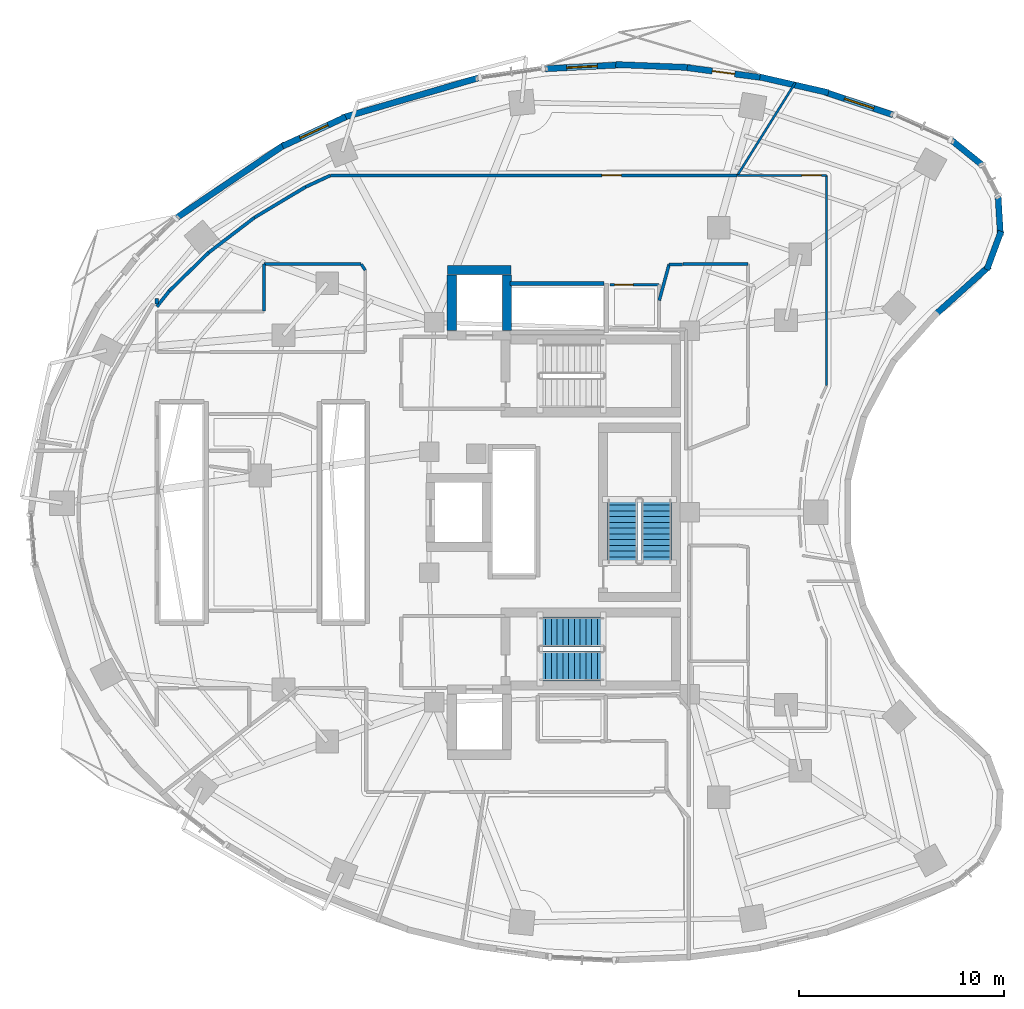
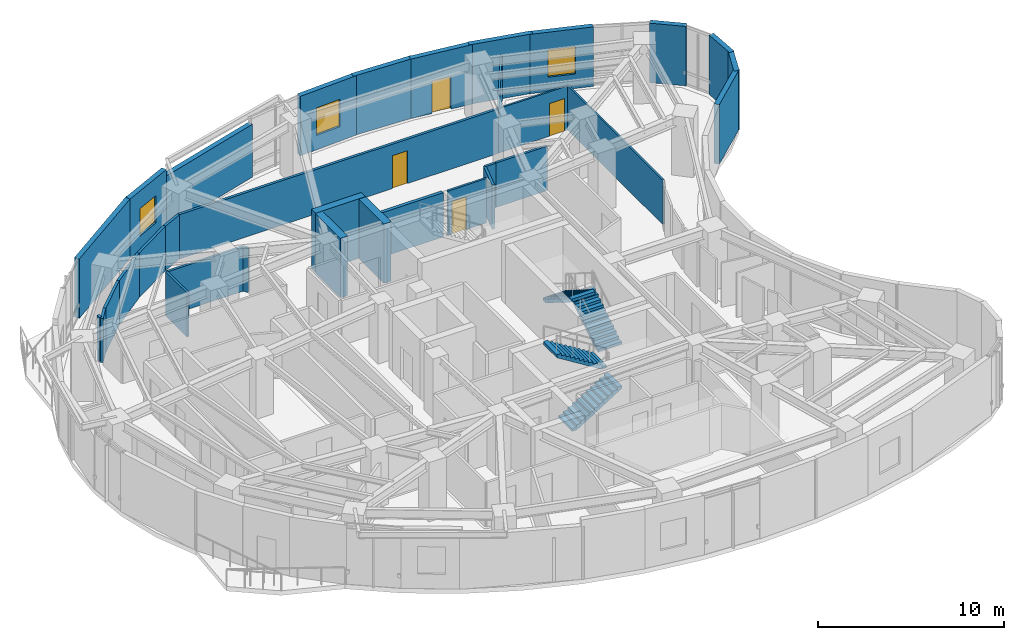
# One storey, part 11 of 15: 33 walls, 4 doors, 4 stair flights, 3 windows, 7 openings, 2 elements without a shape of their own.
"""IFC4 building model written with IfcOpenShell, lengths in metres."""

from ifc_helpers import new_model, si_unit, direction, frame, frame_2d, origin, place, context, subcontext, project, spatial, polyline, rectangle, outline, extrude, material, layer, layer_set, type_object, element, fill, aggregate, save


model = new_model("IFC4")

# Units and contexts
model_context = context("Model", 3, precision=1e-05, world=origin(), true_north=direction((0.0, 1.0)))
body_context = subcontext(model_context, "Body", "Model", "MODEL_VIEW")
ifc_project = project(units=[si_unit("LENGTHUNIT", "METRE"), si_unit("AREAUNIT", "SQUARE_METRE"), si_unit("VOLUMEUNIT", "CUBIC_METRE"), si_unit("PLANEANGLEUNIT", "RADIAN"), si_unit("MASSUNIT", "GRAM", prefix="KILO")], contexts=[model_context])

# Site, building, storey
site_placement = place(None, origin())
site = spatial("IfcSite", under=ifc_project, at=site_placement, CompositionType="ELEMENT")
building_placement = place(site_placement, origin())
building = spatial("IfcBuilding", under=site, at=building_placement, Name="Korentha Bioscience Tower", CompositionType="ELEMENT")
storey_placement = place(building_placement, frame((0.0, 0.0, 115.199951171875)))
storey = spatial("IfcBuildingStorey", under=building, at=storey_placement, Name="L26", CompositionType="ELEMENT", Elevation=115.199951171875)

# Walls
ifc_material_1 = material(Name="Double-Stud Acoustic Gypsum", Category="gypsum")
ifc_layer_1 = layer(ifc_material_1, 0.14990234375, Name="Double-Stud Acoustic Gypsum")
ifc_layer_set_1 = layer_set([ifc_layer_1], Name="Double-Stud Acoustic Gypsum (IW-L150)")
wall_type_1 = type_object("IfcWallType", Name="Acoustic Laboratory Partition Wall 150", PredefinedType="PARTITIONING", material=ifc_layer_set_1)
wall_1_placement = place(storey_placement, frame((36.539794921875, 39.080078125, 0.0), z_axis=(0.0, 0.0, 1.0), x_axis=(1.0, 0.0, 0.0)))
element("IfcWall", 1, at=wall_1_placement, inside=storey, type_object=wall_type_1, Name="L26 Interior Partition 071", PredefinedType="PARTITIONING", context=body_context, shape_type="SweptSolid", body=[
    extrude(rectangle(XDim=0.66015625, YDim=0.14990234375, at=frame_2d((0.330078125, 0.0))), origin(), (0.0, 0.0, 1.0), 2.91015625),
])
wall_2_placement = place(storey_placement, frame((37.2099609375, 39.090087890625, 0.0), z_axis=(0.0, 0.0, 1.0), x_axis=(1.0, 0.0, 0.0)))
element("IfcWall", 2, at=wall_2_placement, inside=storey, type_object=wall_type_1, Name="L26 Interior Partition 073", PredefinedType="PARTITIONING", context=body_context, shape_type="SweptSolid", body=[
    extrude(rectangle(XDim=3.179931640625, YDim=0.14990234375, at=frame_2d((1.58984375, 0.0))), origin(), (0.0, 0.0, 1.0), 2.91015625),
])
wall_3_placement = place(storey_placement, frame((36.06005859375, 37.322021484375, 0.0), z_axis=(0.0, 0.0, 1.0), x_axis=(0.263253435486, 0.964726711927, 0.0)))
element("IfcWall", 3, at=wall_3_placement, inside=storey, type_object=wall_type_1, Name="L26 Interior Partition 077", PredefinedType="PARTITIONING", context=body_context, shape_type="SweptSolid", body=[
    extrude(rectangle(XDim=1.822265625, YDim=0.14990234375, at=frame_2d((0.9111328125, 0.0))), origin(), (0.0, 0.0, 1.0), 2.91015625),
])
ifc_material_2 = material(Name="Insulated Aluminium Honeycomb Panel", Category="aluminium")
ifc_layer_2 = layer(ifc_material_2, 0.139892578125, Name="Insulated Aluminium Honeycomb Panel")
ifc_layer_set_2 = layer_set([ifc_layer_2], Name="Insulated Aluminium Honeycomb Panel (IW-F60)")
wall_type_2 = type_object("IfcWallType", Name="Cleanroom Flush Metal Panel Partition 140", PredefinedType="PARTITIONING", material=ifc_layer_set_2)
wall_4_placement = place(storey_placement, frame((16.81005859375, 36.800048828125, 0.0), z_axis=(0.0, 0.0, 1.0), x_axis=(0.0, 1.0, 0.0)))
element("IfcWall", 4, at=wall_4_placement, inside=storey, type_object=wall_type_2, Name="L26 Interior Partition 091", PredefinedType="PARTITIONING", context=body_context, shape_type="SweptSolid", body=[
    extrude(rectangle(XDim=2.2900390625, YDim=0.139892578125, at=frame_2d((1.14501953125, 0.0))), origin(), (0.0, 0.0, 1.0), 2.91015625),
])
wall_5_placement = place(storey_placement, frame((16.81005859375, 39.090087890625, 0.0), z_axis=(0.0, 0.0, 1.0), x_axis=(1.0, 0.0, 0.0)))
element("IfcWall", 5, at=wall_5_placement, inside=storey, type_object=wall_type_2, Name="L26 Interior Partition 092", PredefinedType="PARTITIONING", context=body_context, shape_type="SweptSolid", body=[
    extrude(rectangle(XDim=4.732177734375, YDim=0.139892578125, at=frame_2d((2.3662109375, 0.0))), origin(), (0.0, 0.0, 1.0), 2.91015625),
])
wall_6_placement = place(storey_placement, frame((21.542236328125, 39.090087890625, 0.0), z_axis=(0.0, 0.0, 1.0), x_axis=(0.554700196225, -0.832050294338, 0.0)))
element("IfcWall", 6, at=wall_6_placement, inside=storey, type_object=wall_type_2, Name="L26 Interior Partition 093", PredefinedType="PARTITIONING", context=body_context, shape_type="SweptSolid", body=[
    extrude(rectangle(XDim=0.3564453125, YDim=0.139892578125, at=frame_2d((0.17822265625, 0.0))), origin(), (0.0, 0.0, 1.0), 2.91015625),
])

# Wall, opening, door
ifc_material_3 = material(Name="Fire-Rated Framed Glass", Category="glass")
ifc_layer_3 = layer(ifc_material_3, 0.110107421875, Name="Fire-Rated Framed Glass")
ifc_layer_set_3 = layer_set([ifc_layer_3], Name="Fire-Rated Framed Glass (IW-G110)")
wall_type_3 = type_object("IfcWallType", Name="Demountable Glazed Office Partition 110", PredefinedType="MOVABLE", material=ifc_layer_set_3)
wall_7_placement = place(storey_placement, frame((44.199951171875, 43.409912109375, 0.0), z_axis=(0.0, 0.0, 1.0), x_axis=(-1.0, 0.0, 0.0)))
wall_7 = element("IfcWall", 7, at=wall_7_placement, inside=storey, type_object=wall_type_3, Name="L26 Clinical Advisory Boardroom 09 Entrance Wall", PredefinedType="MOVABLE", context=body_context, shape_type="SweptSolid", body=[
    extrude(rectangle(XDim=4.335693359375, YDim=0.110107421875, at=frame_2d((2.16796875, 0.0))), origin(), (0.0, 0.0, 1.0), 2.91015625),
])
opening_1_placement = place(wall_7_placement, frame((0.239990234375, 0.0, 0.0)))
opening_1 = element("IfcOpeningElement", 8, at=opening_1_placement, cuts=wall_7, Name="Opening ID-10L", PredefinedType="OPENING", context=body_context, shape_type="SweptSolid", body=[
    extrude(rectangle(XDim=0.949951171875, YDim=2.14990234375, at=frame_2d((0.47509765625, 1.074951171875))), frame((0.0, 0.06982421875, 0.0), z_axis=(0.0, -1.0, 0.0), x_axis=(1.0, 0.0, 0.0)), (0.0, 0.0, 1.0), 0.139892578125),
])
ifc_material_4 = material(Name="Phenolic Laminate Timber Core", Category="wood")
door_type_1 = type_object("IfcDoorType", Name="Laboratory Single Leaf Door 950x2150 Left", OperationType="SINGLE_SWING_LEFT", PredefinedType="DOOR", material=ifc_material_4)
door_1_placement = place(opening_1_placement, origin())
door_1 = element("IfcDoor", 9, at=door_1_placement, inside=storey, type_object=door_type_1, Name="L26 Clinical Advisory Boardroom 09 Door", OperationType="SINGLE_SWING_LEFT", OverallHeight=2.14990234375, OverallWidth=0.949951171875, PredefinedType="DOOR", context=body_context, shape_type="SweptSolid", body=[
    extrude(rectangle(XDim=0.949951171875, YDim=2.14990234375, at=frame_2d((0.47509765625, 1.074951171875))), frame((0.0, 0.02490234375, 0.0), z_axis=(0.0, -1.0, 0.0), x_axis=(1.0, 0.0, 0.0)), (0.0, 0.0, 1.0), 0.050048828125),
])
fill(opening_1, door_1)

# Walls
wall_8_placement = place(storey_placement, frame((44.2099609375, 33.175048828125, 0.0), z_axis=(0.0, 0.0, 1.0), x_axis=(0.0, 1.0, 0.0)))
element("IfcWall", 10, at=wall_8_placement, inside=storey, type_object=wall_type_3, Name="L26 Interior Partition 069", PredefinedType="MOVABLE", context=body_context, shape_type="SweptSolid", body=[
    extrude(rectangle(XDim=10.224853515625, YDim=0.110107421875, at=frame_2d((5.1123046875, 0.0))), origin(), (0.0, 0.0, 1.0), 2.91015625),
])
wall_9_placement = place(storey_placement, frame((39.8642578125, 43.409912109375, 0.0), z_axis=(0.0, 0.0, 1.0), x_axis=(0.529928772796, 0.848042154473, 0.0)))
element("IfcWall", 11, at=wall_9_placement, inside=storey, type_object=wall_type_3, Name="L26 Interior Partition 070", PredefinedType="MOVABLE", context=body_context, shape_type="SweptSolid", body=[
    extrude(rectangle(XDim=5.31689453125, YDim=0.110107421875, at=frame_2d((2.658447265625, 0.0))), origin(), (0.0, 0.0, 1.0), 2.91015625),
])

# Wall, opening, door
ifc_material_5 = material(Name="Gypsum-Clad Steel Stud", Category="steel")
ifc_layer_4 = layer(ifc_material_5, 0.159912109375, Name="Gypsum-Clad Steel Stud")
ifc_layer_set_4 = layer_set([ifc_layer_4], Name="Gypsum-Clad Steel Stud (IW-C160)")
wall_type_4 = type_object("IfcWallType", Name="Fire-Rated Corridor Partition Wall 160", PredefinedType="PARTITIONING", material=ifc_layer_set_4)
wall_10_placement = place(storey_placement, frame((39.854248046875, 43.409912109375, 0.0), z_axis=(0.0, 0.0, 1.0), x_axis=(-1.0, 0.0, 0.0)))
wall_10 = element("IfcWall", 12, at=wall_10_placement, inside=storey, type_object=wall_type_4, Name="L26 Cryogenic Dewar Supply Store 11 Entrance Wall", PredefinedType="PARTITIONING", context=body_context, shape_type="SweptSolid", body=[
    extrude(rectangle(XDim=19.811767578125, YDim=0.159912109375, at=frame_2d((9.90576171875, 0.0))), origin(), (0.0, 0.0, 1.0), 2.91015625),
])
opening_2_placement = place(wall_10_placement, frame((5.64208984375, 0.0, 0.0)))
opening_2 = element("IfcOpeningElement", 13, at=opening_2_placement, cuts=wall_10, Name="Opening ID-10L", PredefinedType="OPENING", context=body_context, shape_type="SweptSolid", body=[
    extrude(rectangle(XDim=0.949951171875, YDim=2.14990234375, at=frame_2d((0.47509765625, 1.074951171875))), frame((0.0, 0.0947265625, 0.0), z_axis=(0.0, -1.0, 0.0), x_axis=(1.0, 0.0, 0.0)), (0.0, 0.0, 1.0), 0.189697265625),
])
door_2_placement = place(opening_2_placement, origin())
door_2 = element("IfcDoor", 14, at=door_2_placement, inside=storey, type_object=door_type_1, Name="L26 Cryogenic Dewar Supply Store 11 Door", OperationType="SINGLE_SWING_LEFT", OverallHeight=2.14990234375, OverallWidth=0.949951171875, PredefinedType="DOOR", context=body_context, shape_type="SweptSolid", body=[
    extrude(rectangle(XDim=0.949951171875, YDim=2.14990234375, at=frame_2d((0.47509765625, 1.074951171875))), frame((0.0, 0.02490234375, 0.0), z_axis=(0.0, -1.0, 0.0), x_axis=(1.0, 0.0, 0.0)), (0.0, 0.0, 1.0), 0.050048828125),
])
fill(opening_2, door_2)

# Walls
wall_11_placement = place(storey_placement, frame((20.038330078125, 43.4091796875, 0.0), z_axis=(0.0, 0.0, 1.0), x_axis=(-0.907124862852, -0.420861596248, 0.0)))
element("IfcWall", 15, at=wall_11_placement, inside=storey, type_object=wall_type_4, Name="L26 Interior Partition 078", PredefinedType="PARTITIONING", context=body_context, shape_type="SweptSolid", body=[
    extrude(rectangle(XDim=1.321533203125, YDim=0.159912109375, at=frame_2d((0.66064453125, 0.0))), origin(), (0.0, 0.0, 1.0), 2.91015625),
])
wall_12_placement = place(storey_placement, frame((18.838623046875, 42.8525390625, 0.0), z_axis=(0.0, 0.0, 1.0), x_axis=(-0.857603806023, -0.514310909757, 0.0)))
element("IfcWall", 16, at=wall_12_placement, inside=storey, type_object=wall_type_4, Name="L26 Interior Partition 079", PredefinedType="PARTITIONING", context=body_context, shape_type="SweptSolid", body=[
    extrude(rectangle(XDim=2.91357421875, YDim=0.159912109375, at=frame_2d((1.456787109375, 0.0))), origin(), (0.0, 0.0, 1.0), 2.91015625),
])
wall_13_placement = place(storey_placement, frame((16.3388671875, 41.353515625, 0.0), z_axis=(0.0, 0.0, 1.0), x_axis=(-0.794513779695, -0.607246122981, 0.0)))
element("IfcWall", 17, at=wall_13_placement, inside=storey, type_object=wall_type_4, Name="L26 Interior Partition 080", PredefinedType="PARTITIONING", context=body_context, shape_type="SweptSolid", body=[
    extrude(rectangle(XDim=2.799072265625, YDim=0.159912109375, at=frame_2d((1.3994140625, 0.0))), origin(), (0.0, 0.0, 1.0), 2.91015625),
])
wall_14_placement = place(storey_placement, frame((14.1142578125, 39.65283203125, 0.0), z_axis=(0.0, 0.0, 1.0), x_axis=(-0.716161838398, -0.697934252794, 0.0)))
element("IfcWall", 18, at=wall_14_placement, inside=storey, type_object=wall_type_4, Name="L26 Interior Partition 081", PredefinedType="PARTITIONING", context=body_context, shape_type="SweptSolid", body=[
    extrude(rectangle(XDim=2.6787109375, YDim=0.159912109375, at=frame_2d((1.33935546875, 0.0))), origin(), (0.0, 0.0, 1.0), 2.91015625),
])
wall_15_placement = place(storey_placement, frame((12.195068359375, 37.781982421875, 0.0), z_axis=(0.0, 0.0, 1.0), x_axis=(-0.621081637991, -0.783745876513, 0.0)))
element("IfcWall", 19, at=wall_15_placement, inside=storey, type_object=wall_type_4, Name="L26 Interior Partition 082", PredefinedType="PARTITIONING", context=body_context, shape_type="SweptSolid", body=[
    extrude(rectangle(XDim=0.97412109375, YDim=0.159912109375, at=frame_2d((0.487060546875, 0.0))), origin(), (0.0, 0.0, 1.0), 2.91015625),
])
wall_16_placement = place(storey_placement, frame((11.590087890625, 37.152099609375, 0.0), z_axis=(0.0, 0.0, 1.0), x_axis=(0.0, 1.0, 0.0)))
element("IfcWall", 20, at=wall_16_placement, inside=storey, type_object=wall_type_4, Name="L26 Interior Partition 083", PredefinedType="PARTITIONING", context=body_context, shape_type="SweptSolid", body=[
    extrude(rectangle(XDim=0.255859375, YDim=0.159912109375, at=frame_2d((0.1279296875, 0.0))), origin(), (0.0, 0.0, 1.0), 2.91015625),
])

# Wall, opening, window
ifc_material_6 = material(Name="Honed Limestone Precast Concrete C40", Category="masonry")
ifc_layer_5 = layer(ifc_material_6, 0.300048828125, Name="Honed Limestone Precast Concrete C40")
ifc_layer_set_5 = layer_set([ifc_layer_5], Name="Honed Limestone Precast Concrete C40 (EW-ST300)")
wall_type_5 = type_object("IfcWallType", Name="Honed Limestone Cavity Spandrel Wall 300", PredefinedType="STANDARD", material=ifc_layer_set_5)
wall_17_placement = place(storey_placement, frame((47.446044921875, 46.36572265625, 0.0), z_axis=(0.0, 0.0, 1.0), x_axis=(-0.948949854506, 0.315426970364, 0.0)))
wall_17 = element("IfcWall", 21, at=wall_17_placement, inside=storey, type_object=wall_type_5, Name="L26 Honed Limestone Spandrel Wall 02", PredefinedType="STANDARD", context=body_context, shape_type="SweptSolid", body=[
    extrude(rectangle(XDim=3.47607421875, YDim=0.300048828125, at=frame_2d((1.738037109375, 0.0))), origin(), (0.0, 0.0, 1.0), 3.900146484375),
])
opening_3_placement = place(wall_17_placement, frame((0.988037109375, 0.0, 0.949951171875)))
opening_3 = element("IfcOpeningElement", 22, at=opening_3_placement, cuts=wall_17, Name="Opening WN-02", PredefinedType="OPENING", context=body_context, shape_type="SweptSolid", body=[
    extrude(rectangle(XDim=1.5, YDim=1.800048828125, at=frame_2d((0.75, 0.89990234375))), frame((0.0, 0.1650390625, 0.0), z_axis=(0.0, -1.0, 0.0), x_axis=(1.0, 0.0, 0.0)), (0.0, 0.0, 1.0), 0.329833984375),
])
ifc_material_7 = material(Name="Thermally Broken Aluminium Triple Glazing", Category="aluminium")
window_type = type_object("IfcWindowType", Name="Acoustic Operable Office Window 1500x1800", PartitioningType="DOUBLE_PANEL_VERTICAL", PredefinedType="WINDOW", material=ifc_material_7)
window_1_placement = place(opening_3_placement, origin())
window_1 = element("IfcWindow", 23, at=window_1_placement, inside=storey, type_object=window_type, Name="L26 Facade Window 02", OverallHeight=1.800048828125, OverallWidth=1.5, PartitioningType="DOUBLE_PANEL_VERTICAL", PredefinedType="WINDOW", context=body_context, shape_type="SweptSolid", body=[
    extrude(rectangle(XDim=1.5, YDim=1.800048828125, at=frame_2d((0.75, 0.89990234375))), frame((0.0, 0.030029296875, 0.0), z_axis=(0.0, -1.0, 0.0), x_axis=(1.0, 0.0, 0.0)), (0.0, 0.0, 1.0), 0.06005859375),
])
fill(opening_3, window_1)

# Wall, opening, door
wall_18_placement = place(storey_placement, frame((40.964111328125, 48.18994140625, 0.0), z_axis=(0.0, 0.0, 1.0), x_axis=(-0.991369257822, 0.131099178664, 0.0)))
wall_18 = element("IfcWall", 24, at=wall_18_placement, inside=storey, type_object=wall_type_5, Name="L26 Balcony Threshold Wall 01", PredefinedType="STANDARD", context=body_context, shape_type="SweptSolid", body=[
    extrude(rectangle(XDim=3.575439453125, YDim=0.300048828125, at=frame_2d((1.78759765625, 0.0))), origin(), (0.0, 0.0, 1.0), 3.900146484375),
])
opening_4_placement = place(wall_18_placement, frame((1.23779296875, 0.0, 0.0)))
opening_4 = element("IfcOpeningElement", 25, at=opening_4_placement, cuts=wall_18, Name="Opening BD-11L", PredefinedType="OPENING", context=body_context, shape_type="SweptSolid", body=[
    extrude(rectangle(XDim=1.10009765625, YDim=2.14990234375, at=frame_2d((0.550048828125, 1.074951171875))), frame((0.0, 0.1650390625, 0.0), z_axis=(0.0, -1.0, 0.0), x_axis=(1.0, 0.0, 0.0)), (0.0, 0.0, 1.0), 0.329833984375),
])
ifc_material_8 = material(Name="Thermally Broken Glazed Aluminium", Category="aluminium")
door_type_2 = type_object("IfcDoorType", Name="Balcony Terrace Glazed Door 1100x2150 Left", OperationType="SINGLE_SWING_LEFT", PredefinedType="DOOR", material=ifc_material_8)
door_3_placement = place(opening_4_placement, origin())
door_3 = element("IfcDoor", 26, at=door_3_placement, inside=storey, type_object=door_type_2, Name="L26 Balcony Access Door 01", OperationType="SINGLE_SWING_LEFT", OverallHeight=2.14990234375, OverallWidth=1.10009765625, PredefinedType="DOOR", context=body_context, shape_type="SweptSolid", body=[
    extrude(rectangle(XDim=1.10009765625, YDim=2.14990234375, at=frame_2d((0.550048828125, 1.074951171875))), frame((0.0, 0.02490234375, 0.0), z_axis=(0.0, -1.0, 0.0), x_axis=(1.0, 0.0, 0.0)), (0.0, 0.0, 1.0), 0.050048828125),
])
fill(opening_4, door_3)

# Wall, opening, window
wall_19_placement = place(storey_placement, frame((34.095703125, 48.79052734375, 0.0), z_axis=(0.0, 0.0, 1.0), x_axis=(-0.998676861232, -0.051424963197, 0.0)))
wall_19 = element("IfcWall", 27, at=wall_19_placement, inside=storey, type_object=wall_type_5, Name="L26 Honed Limestone Spandrel Wall 06", PredefinedType="STANDARD", context=body_context, shape_type="SweptSolid", body=[
    extrude(rectangle(XDim=3.59375, YDim=0.300048828125, at=frame_2d((1.796875, 0.0))), origin(), (0.0, 0.0, 1.0), 3.900146484375),
])
opening_5_placement = place(wall_19_placement, frame((1.046875, 0.0, 0.949951171875)))
opening_5 = element("IfcOpeningElement", 28, at=opening_5_placement, cuts=wall_19, Name="Opening WN-02", PredefinedType="OPENING", context=body_context, shape_type="SweptSolid", body=[
    extrude(rectangle(XDim=1.5, YDim=1.800048828125, at=frame_2d((0.75, 0.89990234375))), frame((0.0, 0.1650390625, 0.0), z_axis=(0.0, -1.0, 0.0), x_axis=(1.0, 0.0, 0.0)), (0.0, 0.0, 1.0), 0.329833984375),
])
window_2_placement = place(opening_5_placement, origin())
window_2 = element("IfcWindow", 29, at=window_2_placement, inside=storey, type_object=window_type, Name="L26 Facade Window 06", OverallHeight=1.800048828125, OverallWidth=1.5, PartitioningType="DOUBLE_PANEL_VERTICAL", PredefinedType="WINDOW", context=body_context, shape_type="SweptSolid", body=[
    extrude(rectangle(XDim=1.5, YDim=1.800048828125, at=frame_2d((0.75, 0.89990234375))), frame((0.0, 0.030029296875, 0.0), z_axis=(0.0, -1.0, 0.0), x_axis=(1.0, 0.0, 0.0)), (0.0, 0.0, 1.0), 0.06005859375),
])
fill(opening_5, window_2)

wall_20_placement = place(storey_placement, frame((20.7880859375, 46.2587890625, 0.0), z_axis=(0.0, 0.0, 1.0), x_axis=(-0.907218110188, -0.42066055264, 0.0)))
wall_20 = element("IfcWall", 30, at=wall_20_placement, inside=storey, type_object=wall_type_5, Name="L26 Honed Limestone Spandrel Wall 10", PredefinedType="STANDARD", context=body_context, shape_type="SweptSolid", body=[
    extrude(rectangle(XDim=3.389892578125, YDim=0.300048828125, at=frame_2d((1.69482421875, 0.0))), origin(), (0.0, 0.0, 1.0), 3.900146484375),
])
opening_6_placement = place(wall_20_placement, frame((0.945068359375, 0.0, 0.949951171875)))
opening_6 = element("IfcOpeningElement", 31, at=opening_6_placement, cuts=wall_20, Name="Opening WN-02", PredefinedType="OPENING", context=body_context, shape_type="SweptSolid", body=[
    extrude(rectangle(XDim=1.5, YDim=1.800048828125, at=frame_2d((0.75, 0.89990234375))), frame((0.0, 0.1650390625, 0.0), z_axis=(0.0, -1.0, 0.0), x_axis=(1.0, 0.0, 0.0)), (0.0, 0.0, 1.0), 0.329833984375),
])
window_3_placement = place(opening_6_placement, origin())
window_3 = element("IfcWindow", 32, at=window_3_placement, inside=storey, type_object=window_type, Name="L26 Facade Window 10", OverallHeight=1.800048828125, OverallWidth=1.5, PartitioningType="DOUBLE_PANEL_VERTICAL", PredefinedType="WINDOW", context=body_context, shape_type="SweptSolid", body=[
    extrude(rectangle(XDim=1.5, YDim=1.800048828125, at=frame_2d((0.75, 0.89990234375))), frame((0.0, 0.030029296875, 0.0), z_axis=(0.0, -1.0, 0.0), x_axis=(1.0, 0.0, 0.0)), (0.0, 0.0, 1.0), 0.06005859375),
])
fill(opening_6, window_3)

# Walls
wall_21_placement = place(storey_placement, frame((44.301513671875, 47.44091796875, 0.0), z_axis=(0.0, 0.0, 1.0), x_axis=(-0.974841550422, 0.222898971669, 0.0)))
element("IfcWall", 33, at=wall_21_placement, inside=storey, type_object=wall_type_5, Name="L26 Limestone Perimeter Closure Wall 03", PredefinedType="STANDARD", context=body_context, shape_type="SweptSolid", body=[
    extrude(rectangle(XDim=3.574951171875, YDim=0.300048828125, at=frame_2d((1.78759765625, 0.0))), origin(), (0.0, 0.0, 1.0), 3.900146484375),
])
wall_22_placement = place(storey_placement, frame((37.574462890625, 48.666259765625, 0.0), z_axis=(0.0, 0.0, 1.0), x_axis=(-0.999212076676, 0.039689114679, 0.0)))
element("IfcWall", 34, at=wall_22_placement, inside=storey, type_object=wall_type_5, Name="L26 Limestone Perimeter Closure Wall 05", PredefinedType="STANDARD", context=body_context, shape_type="SweptSolid", body=[
    extrude(rectangle(XDim=3.635498046875, YDim=0.300048828125, at=frame_2d((1.81787109375, 0.0))), origin(), (0.0, 0.0, 1.0), 3.900146484375),
])
wall_23_placement = place(storey_placement, frame((27.258544921875, 48.163330078125, 0.0), z_axis=(0.0, 0.0, 1.0), x_axis=(-0.959706958999, -0.281002763064, 0.0)))
element("IfcWall", 35, at=wall_23_placement, inside=storey, type_object=wall_type_5, Name="L26 Limestone Perimeter Closure Wall 08", PredefinedType="STANDARD", context=body_context, shape_type="SweptSolid", body=[
    extrude(rectangle(XDim=6.907958984375, YDim=0.300048828125, at=frame_2d((3.4541015625, 0.0))), origin(), (0.0, 0.0, 1.0), 3.469970703125),
])
wall_24_placement = place(storey_placement, frame((17.844482421875, 44.93212890625, 0.0), z_axis=(0.0, 0.0, 1.0), x_axis=(-0.827833149384, -0.560974399399, 0.0)))
element("IfcWall", 36, at=wall_24_placement, inside=storey, type_object=wall_type_5, Name="L26 Limestone Perimeter Closure Wall 11", PredefinedType="STANDARD", context=body_context, shape_type="SweptSolid", body=[
    extrude(rectangle(XDim=6.413330078125, YDim=0.300048828125, at=frame_2d((3.20654296875, 0.0))), origin(), (0.0, 0.0, 1.0), 3.900146484375),
])
wall_25_placement = place(storey_placement, frame((49.51318359375, 36.6357421875, 0.0), z_axis=(0.0, 0.0, 1.0), x_axis=(0.74255963233, 0.669779958221, 0.0)))
element("IfcWall", 37, at=wall_25_placement, inside=storey, type_object=wall_type_5, Name="L26 Limestone Perimeter Closure Wall 57", PredefinedType="STANDARD", context=body_context, shape_type="SweptSolid", body=[
    extrude(rectangle(XDim=3.5390625, YDim=0.300048828125, at=frame_2d((1.76953125, 0.0))), origin(), (0.0, 0.0, 1.0), 3.900146484375),
])
wall_26_placement = place(storey_placement, frame((52.016357421875, 38.822265625, 0.0), z_axis=(0.0, 0.0, 1.0), x_axis=(0.347370087337, 0.937728117539, 0.0)))
element("IfcWall", 38, at=wall_26_placement, inside=storey, type_object=wall_type_5, Name="L26 Limestone Perimeter Closure Wall 59", PredefinedType="STANDARD", context=body_context, shape_type="SweptSolid", body=[
    extrude(rectangle(XDim=1.997314453125, YDim=0.300048828125, at=frame_2d((0.99853515625, 0.0))), origin(), (0.0, 0.0, 1.0), 3.900146484375),
])
for number, where, z_axis, x_axis, name in (
    (39, (52.678955078125, 40.4833984375, 0.0), (0.0, 0.0, 1.0), (-0.060255200356, 0.998183004679, 0.0), "L26 Limestone Perimeter Closure Wall 60"),
    (40, (51.83642578125, 43.880615234375, 0.0), (0.0, 0.0, 1.0), (-0.777338789647, 0.629082193445, 0.0), "L26 Limestone Perimeter Closure Wall 62"),
):
    element("IfcWall", number, at=place(storey_placement, frame(where, z_axis=z_axis, x_axis=x_axis)), inside=storey, type_object=wall_type_5, Name=name, PredefinedType="STANDARD", context=body_context, shape_type="SweptSolid", body=[
        extrude(rectangle(XDim=1.99755859375, YDim=0.300048828125, at=frame_2d((0.998779296875, 0.0))), origin(), (0.0, 0.0, 1.0), 3.900146484375),
    ])
ifc_material_9 = material(Name="Autoclaved Aerated Concrete Block C25", Category="concrete")
ifc_layer_6 = layer(ifc_material_9, 0.199951171875, Name="Autoclaved Aerated Concrete Block C25")
ifc_layer_set_6 = layer_set([ifc_layer_6], Name="Autoclaved Aerated Concrete Block C25 (IW-S200)")
wall_type_6 = type_object("IfcWallType", Name="Lift and Riser Shaft Enclosure Wall 200", PredefinedType="PARTITIONING", material=ifc_layer_set_6)
wall_27_placement = place(storey_placement, frame((28.800048828125, 38.139892578125, 0.0), z_axis=(0.0, 0.0, 1.0), x_axis=(1.0, 0.0, 0.0)))
element("IfcWall", 41, at=wall_27_placement, inside=storey, type_object=wall_type_6, Name="L26 Lift Bank OBS Shaft Wall +Y", PredefinedType="PARTITIONING", context=body_context, shape_type="SweptSolid", body=[
    extrude(rectangle(XDim=4.570068359375, YDim=0.199951171875, at=frame_2d((2.28515625, 0.0))), origin(), (0.0, 0.0, 1.0), 2.91015625),
])
ifc_material_10 = material(Name="Concrete C80", Category="concrete")
ifc_layer_7 = layer(ifc_material_10, 0.449951171875, Name="Concrete C80")
ifc_layer_set_7 = layer_set([ifc_layer_7], Name="Concrete C80 (CW-C80)")
wall_type_7 = type_object("IfcWallType", Name="Lower Core Shear Wall 450", PredefinedType="SHEAR", material=ifc_layer_set_7)
wall_28_placement = place(storey_placement, frame((25.75, 38.800048828125, 0.0), z_axis=(0.0, 0.0, 1.0), x_axis=(1.0, 0.0, 0.0)))
element("IfcWall", 42, at=wall_28_placement, inside=storey, type_object=wall_type_7, Name="L26 Core Shear Wall FFL2-N", PredefinedType="SHEAR", context=body_context, shape_type="SweptSolid", body=[
    extrude(rectangle(XDim=3.10009765625, YDim=0.449951171875, at=frame_2d((1.550048828125, 0.0))), origin(), (0.0, 0.0, 1.0), 3.900146484375),
])
for number, where, z_axis, x_axis, name in (
    (43, (25.949951171875, 35.860107421875, 0.0), (0.0, 0.0, 1.0), (0.0, 1.0, 0.0), "L26 Core Shear Wall FFL2-W"),
    (44, (28.64990234375, 35.860107421875, 0.0), (0.0, 0.0, 1.0), (0.0, 1.0, 0.0), "L26 Core Shear Wall FFL2-E"),
):
    element("IfcWall", number, at=place(storey_placement, frame(where, z_axis=z_axis, x_axis=x_axis)), inside=storey, type_object=wall_type_7, Name=name, PredefinedType="SHEAR", context=body_context, shape_type="SweptSolid", body=[
        extrude(rectangle(XDim=2.699951171875, YDim=0.449951171875, at=frame_2d((1.35009765625, 0.0))), origin(), (0.0, 0.0, 1.0), 3.900146484375),
    ])

# Wall, opening, door
ifc_material_11 = material(Name="Cement-Board Steel Stud", Category="steel")
ifc_layer_8 = layer(ifc_material_11, 0.1298828125, Name="Cement-Board Steel Stud")
ifc_layer_set_8 = layer_set([ifc_layer_8], Name="Cement-Board Steel Stud (IW-W130)")
wall_type_8 = type_object("IfcWallType", Name="Wet-Area Moisture-Resistant Partition 130", PredefinedType="PARTITIONING", material=ifc_layer_set_8)
wall_29_placement = place(storey_placement, frame((33.64990234375, 38.090087890625, 0.0), z_axis=(0.0, 0.0, 1.0), x_axis=(1.0, 0.0, 0.0)))
wall_29 = element("IfcWall", 45, at=wall_29_placement, inside=storey, type_object=wall_type_8, Name="L26 Accessible Staff WC Entrance Wall", PredefinedType="PARTITIONING", context=body_context, shape_type="SweptSolid", body=[
    extrude(rectangle(XDim=2.400146484375, YDim=0.1298828125, at=frame_2d((1.2001953125, 0.0))), origin(), (0.0, 0.0, 1.0), 2.91015625),
])
opening_7_placement = place(wall_29_placement, frame((0.239990234375, 0.0, 0.0)))
opening_7 = element("IfcOpeningElement", 46, at=opening_7_placement, cuts=wall_29, Name="Opening ID-09R", PredefinedType="OPENING", context=body_context, shape_type="SweptSolid", body=[
    extrude(rectangle(XDim=0.89990234375, YDim=2.14990234375, at=frame_2d((0.449951171875, 1.074951171875))), frame((0.0, 0.079833984375, 0.0), z_axis=(0.0, -1.0, 0.0), x_axis=(1.0, 0.0, 0.0)), (0.0, 0.0, 1.0), 0.15966796875),
])
ifc_material_12 = material(Name="Moisture-Resistant HPL Leaf", Category="wood")
door_type_3 = type_object("IfcDoorType", Name="Restroom & Accessible WC Door 900x2150 Right", OperationType="SINGLE_SWING_RIGHT", PredefinedType="DOOR", material=ifc_material_12)
door_4_placement = place(opening_7_placement, origin())
door_4 = element("IfcDoor", 47, at=door_4_placement, inside=storey, type_object=door_type_3, Name="L26 Accessible Staff WC Door", OperationType="SINGLE_SWING_RIGHT", OverallHeight=2.14990234375, OverallWidth=0.89990234375, PredefinedType="DOOR", context=body_context, shape_type="SweptSolid", body=[
    extrude(rectangle(XDim=0.89990234375, YDim=2.14990234375, at=frame_2d((0.449951171875, 1.074951171875))), frame((0.0, 0.02490234375, 0.0), z_axis=(0.0, -1.0, 0.0), x_axis=(1.0, 0.0, 0.0)), (0.0, 0.0, 1.0), 0.050048828125),
])
fill(opening_7, door_4)

# Stair, stair flights
ifc_material_13 = material(Name="Precast Concrete C50", Category="concrete")
stair_type = type_object("IfcStairType", Name="Core Exit Dog-Leg Stair 1450", PredefinedType="HALF_TURN_STAIR", material=ifc_material_13)
stair_1_placement = place(storey_placement, origin())
stair_1 = element("IfcStair", 48, at=stair_1_placement, inside=storey, type_object=stair_type, Name="L26 Tower South Pressurized Exit Stair ST-2", PredefinedType="HALF_TURN_STAIR")
stair_flight_type = type_object("IfcStairFlightType", Name="Core Exit Dog-Leg Stair 1450 Flight", PredefinedType="STRAIGHT", material=ifc_material_13)
stair_flight_1_placement = place(storey_placement, frame((30.25, 19.52490234375, 0.0), z_axis=(0.0, 0.0, 1.0), x_axis=(1.0, 0.0, 0.0)))
stair_flight_1 = element("IfcStairFlight", 49, at=stair_flight_1_placement, type_object=stair_flight_type, Name="ST-2 flight 1", NumberOfRisers=12, NumberOfTreads=11, PredefinedType="STRAIGHT", RiserHeight=0.175, TreadLength=0.28, context=body_context, shape_type="SweptSolid", body=[
    extrude(outline(polyline([(0.0, 0.0), (0.0, 0.175048828125), (0.280029296875, 0.175048828125), (0.280029296875, 0.35009765625), (0.56005859375, 0.35009765625), (0.56005859375, 0.52490234375), (0.840087890625, 0.52490234375), (0.840087890625, 0.699951171875), (1.1201171875, 0.699951171875), (1.1201171875, 0.875), (1.39990234375, 0.875), (1.39990234375, 1.050048828125), (1.679931640625, 1.050048828125), (1.679931640625, 1.22509765625), (1.9599609375, 1.22509765625), (1.9599609375, 1.39990234375), (2.239990234375, 1.39990234375), (2.239990234375, 1.574951171875), (2.52001953125, 1.574951171875), (2.52001953125, 1.75), (2.800048828125, 1.75), (2.800048828125, 1.925048828125), (3.080078125, 1.925048828125), (3.080078125, 2.10009765625), (3.080078125, 1.736328125), (0.3017578125, 0.0), (0.0, 0.0)])), frame((0.0, 0.72509765625, 0.0), z_axis=(0.0, -1.0, 0.0), x_axis=(1.0, 0.0, 0.0)), (0.0, 0.0, 1.0), 1.449951171875),
])
stair_flight_2_placement = place(storey_placement, frame((33.330078125, 21.175048828125, 2.10009765625), z_axis=(0.0, 0.0, 1.0), x_axis=(-1.0, 0.0, 0.0)))
stair_flight_2 = element("IfcStairFlight", 50, at=stair_flight_2_placement, type_object=stair_flight_type, Name="ST-2 flight 2", NumberOfRisers=12, NumberOfTreads=11, PredefinedType="STRAIGHT", RiserHeight=0.175, TreadLength=0.28, context=body_context, shape_type="SweptSolid", body=[
    extrude(outline(polyline([(0.0, 0.0), (0.0, 0.175048828125), (0.280029296875, 0.175048828125), (0.280029296875, 0.35009765625), (0.56005859375, 0.35009765625), (0.56005859375, 0.52490234375), (0.840087890625, 0.52490234375), (0.840087890625, 0.699951171875), (1.1201171875, 0.699951171875), (1.1201171875, 0.875), (1.39990234375, 0.875), (1.39990234375, 1.050048828125), (1.679931640625, 1.050048828125), (1.679931640625, 1.22509765625), (1.9599609375, 1.22509765625), (1.9599609375, 1.39990234375), (2.239990234375, 1.39990234375), (2.239990234375, 1.574951171875), (2.52001953125, 1.574951171875), (2.52001953125, 1.75), (2.800048828125, 1.75), (2.800048828125, 1.925048828125), (3.080078125, 1.925048828125), (3.080078125, 2.10009765625), (3.080078125, 1.736328125), (0.3017578125, 0.0), (0.0, 0.0)])), frame((0.0, 0.72509765625, 0.0), z_axis=(0.0, -1.0, 0.0), x_axis=(1.0, 0.0, 0.0)), (0.0, 0.0, 1.0), 1.449951171875),
])
aggregate(stair_1, [stair_flight_1, stair_flight_2])

stair_2_placement = place(storey_placement, origin())
stair_2 = element("IfcStair", 51, at=stair_2_placement, inside=storey, type_object=stair_type, Name="L26 Tower Central Pressurized Exit Stair ST-3", PredefinedType="HALF_TURN_STAIR")
stair_flight_3_placement = place(storey_placement, frame((35.925048828125, 24.550048828125, 0.0), z_axis=(0.0, 0.0, 1.0), x_axis=(0.0, 1.0, 0.0)))
stair_flight_3 = element("IfcStairFlight", 52, at=stair_flight_3_placement, type_object=stair_flight_type, Name="ST-3 flight 1", NumberOfRisers=12, NumberOfTreads=11, PredefinedType="STRAIGHT", RiserHeight=0.175, TreadLength=0.28, context=body_context, shape_type="SweptSolid", body=[
    extrude(outline(polyline([(0.0, 0.0), (0.0, 0.175048828125), (0.280029296875, 0.175048828125), (0.280029296875, 0.35009765625), (0.56005859375, 0.35009765625), (0.56005859375, 0.52490234375), (0.840087890625, 0.52490234375), (0.840087890625, 0.699951171875), (1.1201171875, 0.699951171875), (1.1201171875, 0.875), (1.39990234375, 0.875), (1.39990234375, 1.050048828125), (1.679931640625, 1.050048828125), (1.679931640625, 1.22509765625), (1.9599609375, 1.22509765625), (1.9599609375, 1.39990234375), (2.239990234375, 1.39990234375), (2.239990234375, 1.574951171875), (2.52001953125, 1.574951171875), (2.52001953125, 1.75), (2.800048828125, 1.75), (2.800048828125, 1.925048828125), (3.080078125, 1.925048828125), (3.080078125, 2.10009765625), (3.080078125, 1.736328125), (0.3017578125, 0.0), (0.0, 0.0)])), frame((0.0, 0.72509765625, 0.0), z_axis=(0.0, -1.0, 0.0), x_axis=(1.0, 0.0, 0.0)), (0.0, 0.0, 1.0), 1.449951171875),
])
stair_flight_4_placement = place(storey_placement, frame((34.27490234375, 27.6298828125, 2.10009765625), z_axis=(0.0, 0.0, 1.0), x_axis=(0.0, -1.0, 0.0)))
stair_flight_4 = element("IfcStairFlight", 53, at=stair_flight_4_placement, type_object=stair_flight_type, Name="ST-3 flight 2", NumberOfRisers=12, NumberOfTreads=11, PredefinedType="STRAIGHT", RiserHeight=0.175, TreadLength=0.28, context=body_context, shape_type="SweptSolid", body=[
    extrude(outline(polyline([(0.0, 0.0), (0.0, 0.175048828125), (0.280029296875, 0.175048828125), (0.280029296875, 0.35009765625), (0.56005859375, 0.35009765625), (0.56005859375, 0.52490234375), (0.840087890625, 0.52490234375), (0.840087890625, 0.699951171875), (1.1201171875, 0.699951171875), (1.1201171875, 0.875), (1.39990234375, 0.875), (1.39990234375, 1.050048828125), (1.679931640625, 1.050048828125), (1.679931640625, 1.22509765625), (1.9599609375, 1.22509765625), (1.9599609375, 1.39990234375), (2.239990234375, 1.39990234375), (2.239990234375, 1.574951171875), (2.52001953125, 1.574951171875), (2.52001953125, 1.75), (2.800048828125, 1.75), (2.800048828125, 1.925048828125), (3.080078125, 1.925048828125), (3.080078125, 2.10009765625), (3.080078125, 1.736328125), (0.3017578125, 0.0), (0.0, 0.0)])), frame((0.0, 0.72509765625, 0.0), z_axis=(0.0, -1.0, 0.0), x_axis=(1.0, 0.0, 0.0)), (0.0, 0.0, 1.0), 1.449951171875),
])
aggregate(stair_2, [stair_flight_3, stair_flight_4])

save(model, "model.ifc")
